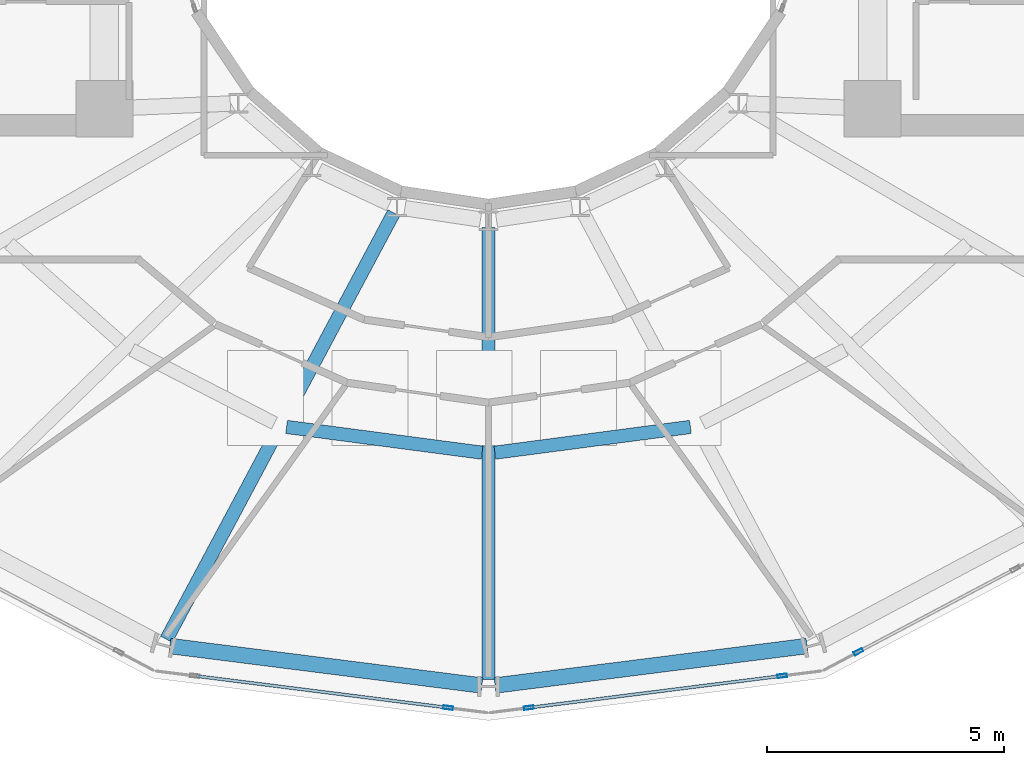
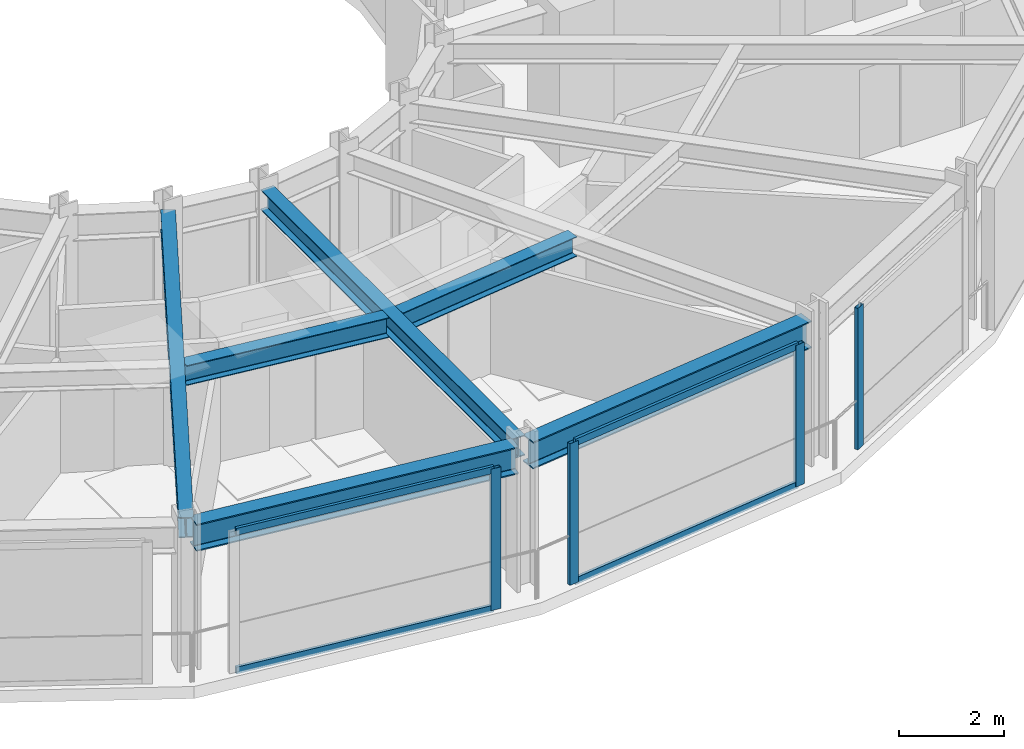
# One storey, part 4 of 24: 8 members, 6 beams, 3 elements without a shape of their own.
"""IFC4 building model written with IfcOpenShell, lengths in metres."""

from ifc_helpers import new_model, si_unit, direction, frame, origin, origin_2d, place, context, subcontext, project, spatial, hollow_rectangle, i_section, extrude, material, layer, layer_set, material_profile, profile_set, type_object, element, aggregate, save


model = new_model("IFC4")

# Units and contexts
model_context = context("Model", 3, precision=1e-05, world=origin(), true_north=direction((0.0, 1.0)))
body_context = subcontext(model_context, "Body", "Model", "MODEL_VIEW")
ifc_project = project(units=[si_unit("LENGTHUNIT", "METRE"), si_unit("AREAUNIT", "SQUARE_METRE"), si_unit("VOLUMEUNIT", "CUBIC_METRE"), si_unit("PLANEANGLEUNIT", "RADIAN"), si_unit("MASSUNIT", "GRAM", prefix="KILO")], contexts=[model_context])

# Site, building, storey
site_placement = place(None, origin())
site = spatial("IfcSite", under=ifc_project, at=site_placement, CompositionType="ELEMENT")
building_placement = place(site_placement, origin())
building = spatial("IfcBuilding", under=site, at=building_placement, Name="Solvane Sanctuary Tower", CompositionType="ELEMENT")
storey_placement = place(building_placement, frame((0.0, 0.0, 246.0)))
storey = spatial("IfcBuildingStorey", under=building, at=storey_placement, Name="L75", CompositionType="ELEMENT", Elevation=246.0)

# Beams
ifc_material_1 = material(Name="Steel ASTM A992 Grade 50", Category="steel")
ifc_material_profile_1 = material_profile(ifc_material_1, i_section(OverallWidth=0.282958984375, OverallDepth=0.471923828125, WebThickness=0.013671875, FlangeThickness=0.022216796875, FilletRadius=0.013916015625, at=origin_2d()), Name="W18X97")
ifc_profile_set_1 = profile_set([ifc_material_profile_1], Name="Steel ASTM A992 Grade 50")
beam_type_1 = type_object("IfcBeamType", Name="Beam B-RAD-Z4 W18X97", PredefinedType="JOIST", material=ifc_profile_set_1)
beam_1_placement = place(storey_placement, frame((30.00341796875, 14.704833984375, 3.08203125), z_axis=(-0.470405435304, -0.882450410185, 0.0), x_axis=(0.882450410185, -0.470405435304, 0.0)))
element("IfcBeam", 1, at=beam_1_placement, inside=storey, type_object=beam_type_1, Name="L75 Radial Composite Floor Beam 10", PredefinedType="JOIST", context=body_context, shape_type="SweptSolid", body=[
    extrude(i_section(OverallWidth=0.282958984375, OverallDepth=0.471923828125, WebThickness=0.013671875, FlangeThickness=0.022216796875, FilletRadius=0.013916015625, at=origin_2d()), origin(), (0.0, 0.0, 1.0), 10.190673828125),
])
beam_2_placement = place(storey_placement, frame((32.0, 14.39990234375, 3.08203125), z_axis=(0.0, -1.0, 0.0), x_axis=(1.0, 0.0, 0.0)))
element("IfcBeam", 2, at=beam_2_placement, inside=storey, type_object=beam_type_1, Name="L75 Radial Composite Floor Beam 11", PredefinedType="JOIST", context=body_context, shape_type="SweptSolid", body=[
    extrude(i_section(OverallWidth=0.282958984375, OverallDepth=0.471923828125, WebThickness=0.013671875, FlangeThickness=0.022216796875, FilletRadius=0.013916015625, at=origin_2d()), origin(), (0.0, 0.0, 1.0), 9.539794921875),
])
ifc_material_profile_2 = material_profile(ifc_material_1, i_section(OverallWidth=0.280029296875, OverallDepth=0.462890625, WebThickness=0.0107421875, FlangeThickness=0.017333984375, FilletRadius=0.013916015625, at=origin_2d()), Name="W18X76")
ifc_profile_set_2 = profile_set([ifc_material_profile_2], Name="Steel ASTM A992 Grade 50")
beam_type_2 = type_object("IfcBeamType", Name="Beam B-SEC-JOIST W18X76", PredefinedType="JOIST", material=ifc_profile_set_2)
for number, where, z_axis, x_axis, name in (
    (3, (27.74169921875, 10.190673828125, 3.08642578125), (0.991439902559, -0.130563852634, 0.0), (0.130563852634, 0.991439902559, 0.0), "L75 Secondary Circumferential Joist 10-11"),
    (4, (32.13525390625, 9.647705078125, 3.08642578125), (0.991439902559, 0.130563852634, 0.0), (-0.130563852634, 0.991439902559, 0.0), "L75 Secondary Circumferential Joist 11-12"),
):
    element("IfcBeam", number, at=place(storey_placement, frame(where, z_axis=z_axis, x_axis=x_axis)), inside=storey, type_object=beam_type_2, Name=name, PredefinedType="JOIST", context=body_context, shape_type="SweptSolid", body=[
        extrude(i_section(OverallWidth=0.280029296875, OverallDepth=0.462890625, WebThickness=0.0107421875, FlangeThickness=0.017333984375, FilletRadius=0.013916015625, at=origin_2d()), origin(), (0.0, 0.0, 1.0), 4.15869140625),
    ])
ifc_material_profile_3 = material_profile(ifc_material_1, i_section(OverallWidth=0.327880859375, OverallDepth=0.6279296875, WebThickness=0.0166015625, FlangeThickness=0.027587890625, FilletRadius=0.01611328125, at=origin_2d()), Name="W24X146")
ifc_profile_set_3 = profile_set([ifc_material_profile_3], Name="Steel ASTM A992 Grade 50")
beam_type_3 = type_object("IfcBeamType", Name="Beam B-SPAND-Z3 W24X146", PredefinedType="SPANDREL", material=ifc_profile_set_3)
for number, where, z_axis, x_axis, name in (
    (5, (25.28271484375, 5.571044921875, 3.00390625), (0.992068601394, -0.125697613849, 0.0), (0.125697613849, 0.992068601394, 0.0), "L75 Perimeter Spandrel Beam TC10-TC11"),
    (6, (32.138916015625, 4.737548828125, 3.00390625), (0.992068601394, 0.125697613849, 0.0), (-0.125697613849, 0.992068601394, 0.0), "L75 Perimeter Spandrel Beam TC11-TC12"),
):
    element("IfcBeam", number, at=place(storey_placement, frame(where, z_axis=z_axis, x_axis=x_axis)), inside=storey, type_object=beam_type_3, Name=name, PredefinedType="SPANDREL", context=body_context, shape_type="SweptSolid", body=[
        extrude(i_section(OverallWidth=0.327880859375, OverallDepth=0.6279296875, WebThickness=0.0166015625, FlangeThickness=0.027587890625, FilletRadius=0.01611328125, at=origin_2d()), origin(), (0.0, 0.0, 1.0), 6.630859375),
    ])

# Curtain wall, member
ifc_material_2 = material(Name="Anodised Aluminium 6063-T6", Category="aluminium")
ifc_layer = layer(ifc_material_2, 0.18994140625, Name="Anodised Aluminium 6063-T6")
ifc_layer_set = layer_set([ifc_layer], Name="Anodised Aluminium 6063-T6")
curtain_wall_type = type_object("IfcCurtainWallType", Name="Curtain Wall CW-OPER", PredefinedType="NOTDEFINED", material=ifc_layer_set)
curtain_wall_1_placement = place(storey_placement, origin())
curtain_wall_1 = element("IfcCurtainWall", 7, at=curtain_wall_1_placement, inside=storey, type_object=curtain_wall_type, Name="L75 CW-OPER Facade Run 17", PredefinedType="NOTDEFINED")
ifc_material_profile_4 = material_profile(ifc_material_2, hollow_rectangle(XDim=0.074951171875, YDim=0.199951171875, WallThickness=0.00390625, at=origin_2d()), Name="ALU200X75X4")
ifc_profile_set_4 = profile_set([ifc_material_profile_4], Name="Anodised Aluminium 6063-T6")
member_type_1 = type_object("IfcMemberType", Name="Member M-CW-MUL-1 ALU200X75X4", PredefinedType="MULLION", material=ifc_profile_set_4)
member_1_placement = place(storey_placement, frame((31.149169921875, 4.269287109375, 0.0), z_axis=(0.0, 0.0, 1.0), x_axis=(0.124814850727, 0.992180050716, 0.0)))
member_1 = element("IfcMember", 8, at=member_1_placement, type_object=member_type_1, Name="CW-OPER mullion 2", PredefinedType="MULLION", context=body_context, shape_type="SweptSolid", body=[
    extrude(hollow_rectangle(XDim=0.074951171875, YDim=0.199951171875, WallThickness=0.00390625, at=origin_2d()), origin(), (0.0, 0.0, 1.0), 3.280029296875),
])

# Curtain wall, members
curtain_wall_2_placement = place(storey_placement, origin())
curtain_wall_2 = element("IfcCurtainWall", 9, at=curtain_wall_2_placement, inside=storey, type_object=curtain_wall_type, Name="L75 CW-OPER Facade Run 18", PredefinedType="NOTDEFINED")
member_2_placement = place(storey_placement, frame((32.850830078125, 4.269287109375, 0.0), z_axis=(0.0, 0.0, 1.0), x_axis=(-0.124814850727, 0.992180050716, 0.0)))
member_2 = element("IfcMember", 10, at=member_2_placement, type_object=member_type_1, Name="CW-OPER mullion 1", PredefinedType="MULLION", context=body_context, shape_type="SweptSolid", body=[
    extrude(hollow_rectangle(XDim=0.074951171875, YDim=0.199951171875, WallThickness=0.00390625, at=origin_2d()), origin(), (0.0, 0.0, 1.0), 3.280029296875),
])
member_3_placement = place(storey_placement, frame((38.192138671875, 4.941162109375, 0.0), z_axis=(0.0, 0.0, 1.0), x_axis=(-0.124814850727, 0.992180050716, 0.0)))
member_3 = element("IfcMember", 11, at=member_3_placement, type_object=member_type_1, Name="CW-OPER mullion 2", PredefinedType="MULLION", context=body_context, shape_type="SweptSolid", body=[
    extrude(hollow_rectangle(XDim=0.074951171875, YDim=0.199951171875, WallThickness=0.00390625, at=origin_2d()), origin(), (0.0, 0.0, 1.0), 3.280029296875),
])

# Curtain wall, member
curtain_wall_3_placement = place(storey_placement, origin())
curtain_wall_3 = element("IfcCurtainWall", 12, at=curtain_wall_3_placement, inside=storey, type_object=curtain_wall_type, Name="L75 CW-OPER Facade Run 19", PredefinedType="NOTDEFINED")
member_4_placement = place(storey_placement, frame((39.801025390625, 5.448974609375, 0.0), z_axis=(0.0, 0.0, 1.0), x_axis=(-0.467523293544, 0.883980752049, 0.0)))
member_4 = element("IfcMember", 13, at=member_4_placement, type_object=member_type_1, Name="CW-OPER mullion 1", PredefinedType="MULLION", context=body_context, shape_type="SweptSolid", body=[
    extrude(hollow_rectangle(XDim=0.074951171875, YDim=0.199951171875, WallThickness=0.00390625, at=origin_2d()), origin(), (0.0, 0.0, 1.0), 3.280029296875),
])
aggregate(curtain_wall_3, [member_4])

# Member
ifc_material_profile_5 = material_profile(ifc_material_2, hollow_rectangle(XDim=0.06494140625, YDim=0.159912109375, WallThickness=0.00341796875, at=origin_2d()), Name="ALU160X65X3.5")
ifc_profile_set_5 = profile_set([ifc_material_profile_5], Name="Anodised Aluminium 6063-T6")
member_type_2 = type_object("IfcMemberType", Name="Member M-CW-TRN-1 ALU160X65X3.5", PredefinedType="USERDEFINED", material=ifc_profile_set_5)
member_5_placement = place(storey_placement, frame((25.844970703125, 4.9365234375, 0.032470703125), z_axis=(0.992179929781, -0.124815812062, 0.0), x_axis=(0.124815812062, 0.992179929781, 0.0)))
member_5 = element("IfcMember", 14, at=member_5_placement, type_object=member_type_2, Name="CW-OPER transom 1.1", ObjectType="TRANSOM", PredefinedType="USERDEFINED", context=body_context, shape_type="SweptSolid", body=[
    extrude(hollow_rectangle(XDim=0.06494140625, YDim=0.159912109375, WallThickness=0.00341796875, at=origin_2d()), origin(), (0.0, 0.0, 1.0), 5.30859375),
])

member_6_placement = place(storey_placement, frame((25.844970703125, 4.9365234375, 3.24755859375), z_axis=(0.992179929781, -0.124815812062, 0.0), x_axis=(0.124815812062, 0.992179929781, 0.0)))
member_6 = element("IfcMember", 15, at=member_6_placement, type_object=member_type_2, Name="CW-OPER transom 1.2", ObjectType="TRANSOM", PredefinedType="USERDEFINED", context=body_context, shape_type="SweptSolid", body=[
    extrude(hollow_rectangle(XDim=0.06494140625, YDim=0.159912109375, WallThickness=0.00341796875, at=origin_2d()), origin(), (0.0, 0.0, 1.0), 5.30859375),
])

aggregate(curtain_wall_1, [member_1, member_5, member_6])

member_7_placement = place(storey_placement, frame((32.887939453125, 4.27392578125, 0.032470703125), z_axis=(0.992179929781, 0.124815812062, 0.0), x_axis=(-0.124815812062, 0.992179929781, 0.0)))
member_7 = element("IfcMember", 16, at=member_7_placement, type_object=member_type_2, Name="CW-OPER transom 1.1", ObjectType="TRANSOM", PredefinedType="USERDEFINED", context=body_context, shape_type="SweptSolid", body=[
    extrude(hollow_rectangle(XDim=0.06494140625, YDim=0.159912109375, WallThickness=0.00341796875, at=origin_2d()), origin(), (0.0, 0.0, 1.0), 5.30859375),
])

member_8_placement = place(storey_placement, frame((32.887939453125, 4.27392578125, 3.24755859375), z_axis=(0.992179929781, 0.124815812062, 0.0), x_axis=(-0.124815812062, 0.992179929781, 0.0)))
member_8 = element("IfcMember", 17, at=member_8_placement, type_object=member_type_2, Name="CW-OPER transom 1.2", ObjectType="TRANSOM", PredefinedType="USERDEFINED", context=body_context, shape_type="SweptSolid", body=[
    extrude(hollow_rectangle(XDim=0.06494140625, YDim=0.159912109375, WallThickness=0.00341796875, at=origin_2d()), origin(), (0.0, 0.0, 1.0), 5.30859375),
])

aggregate(curtain_wall_2, [member_2, member_3, member_7, member_8])

save(model, "model.ifc")
